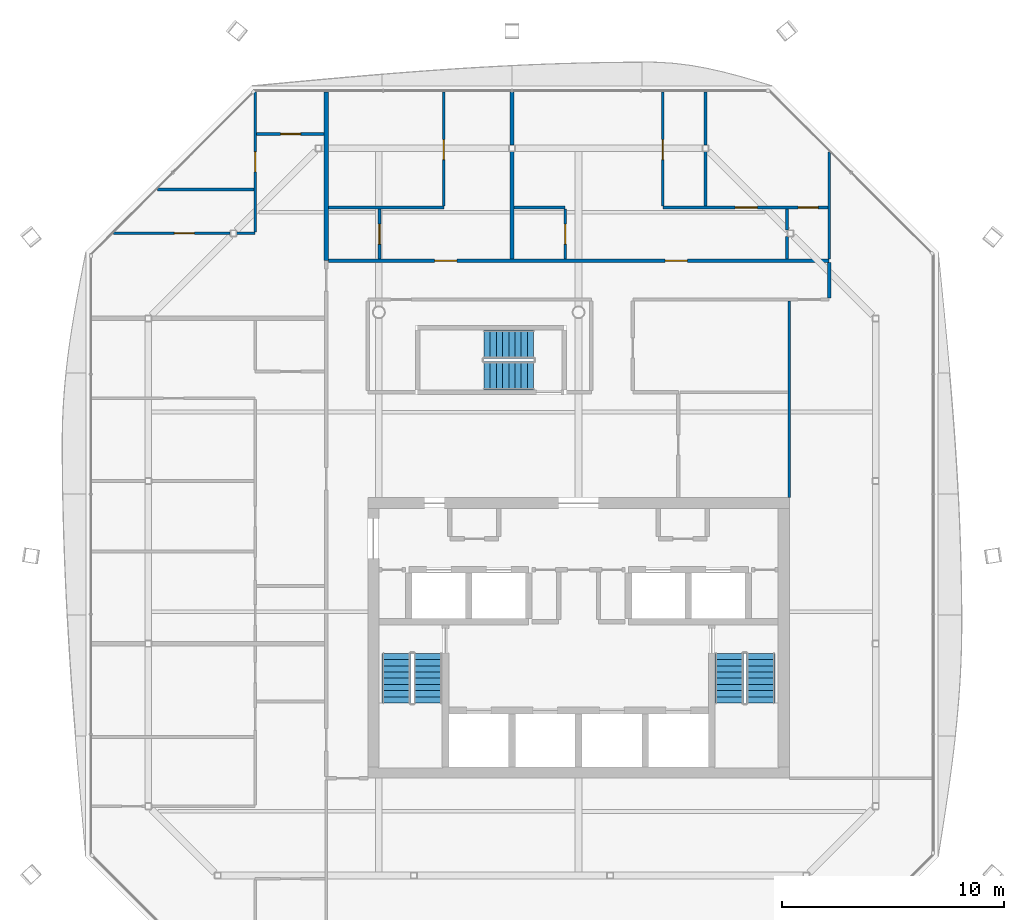
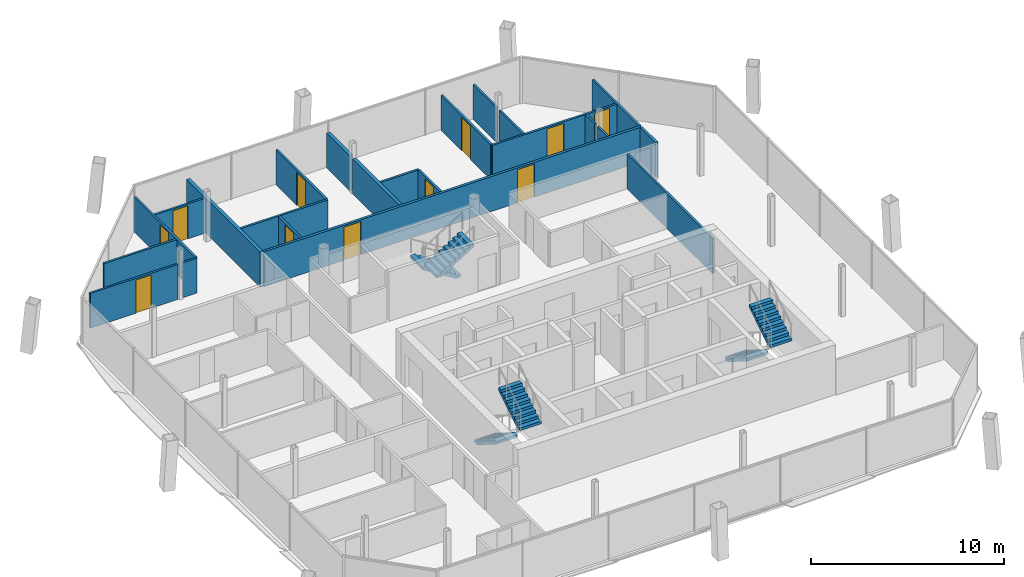
# One storey, part 14 of 18: 23 walls, 11 doors, 6 stair flights, 11 openings, 3 elements without a shape of their own.
"""IFC4 building model written with IfcOpenShell, lengths in metres."""

from ifc_helpers import new_model, si_unit, direction, frame, frame_2d, origin, place, context, subcontext, project, spatial, polyline, rectangle, outline, extrude, material, layer, layer_set, type_object, element, fill, aggregate, save


model = new_model("IFC4")

# Units and contexts
model_context = context("Model", 3, precision=1e-05, world=origin(), true_north=direction((0.0, 1.0)))
body_context = subcontext(model_context, "Body", "Model", "MODEL_VIEW")
ifc_project = project(units=[si_unit("LENGTHUNIT", "METRE"), si_unit("AREAUNIT", "SQUARE_METRE"), si_unit("VOLUMEUNIT", "CUBIC_METRE"), si_unit("PLANEANGLEUNIT", "RADIAN"), si_unit("MASSUNIT", "GRAM", prefix="KILO")], contexts=[model_context])

# Site, building, storey
site_placement = place(None, origin())
site = spatial("IfcSite", under=ifc_project, at=site_placement, CompositionType="ELEMENT")
building_placement = place(site_placement, origin())
building = spatial("IfcBuilding", under=site, at=building_placement, Name="Tskaro Facet Tower", CompositionType="ELEMENT")
storey_placement = place(building_placement, frame((0.0, 0.0, 223.5)))
storey = spatial("IfcBuildingStorey", under=building, at=storey_placement, Name="L57", CompositionType="ELEMENT", Elevation=223.5)

# Wall, opening, door
ifc_material_1 = material(Name="Gypsum board on steel studs", Category="steel")
ifc_layer_1 = layer(ifc_material_1, 0.125, Name="Gypsum board on steel studs")
ifc_layer_set_1 = layer_set([ifc_layer_1], Name="Gypsum board on steel studs")
wall_type_1 = type_object("IfcWallType", Name="PART", PredefinedType="PARTITIONING", material=ifc_layer_set_1)
wall_1_placement = place(storey_placement, frame((-20.964111328125, 12.56005859375, 0.0), z_axis=(0.0, 0.0, 1.0), x_axis=(1.0, 0.0, 0.0)))
wall_1 = element("IfcWall", 1, at=wall_1_placement, inside=storey, type_object=wall_type_1, Name="Partition W039", PredefinedType="PARTITIONING", context=body_context, shape_type="SweptSolid", body=[
    extrude(rectangle(XDim=5.256103515625, YDim=0.125, at=frame_2d((2.6279296875, 0.0))), origin(), (0.0, 0.0, 1.0), 2.2099609375),
])
opening_1_placement = place(wall_1_placement, frame((2.744384765625, 0.0, 0.0)))
opening_1 = element("IfcOpeningElement", 2, at=opening_1_placement, cuts=wall_1, Name="Opening T16-D31", PredefinedType="OPENING", context=body_context, shape_type="SweptSolid", body=[
    extrude(rectangle(XDim=0.89990234375, YDim=2.10009765625, at=frame_2d((0.449951171875, 1.050048828125))), frame((0.0, 0.072509765625, 0.0), z_axis=(0.0, -1.0, 0.0), x_axis=(1.0, 0.0, 0.0)), (0.0, 0.0, 1.0), 0.14501953125),
])
ifc_material_2 = material(Name="Timber", Category="wood")
door_type_1 = type_object("IfcDoorType", Name="D-ROOM", OperationType="NOTDEFINED", PredefinedType="DOOR", material=ifc_material_2)
door_1_placement = place(opening_1_placement, origin())
door_1 = element("IfcDoor", 3, at=door_1_placement, inside=storey, type_object=door_type_1, Name="Door T16-D31", OperationType="SINGLE_SWING_LEFT", OverallHeight=2.10009765625, OverallWidth=0.89990234375, PredefinedType="DOOR", context=body_context, shape_type="SweptSolid", body=[
    extrude(rectangle(XDim=0.89990234375, YDim=2.10009765625, at=frame_2d((0.449951171875, 1.050048828125))), frame((0.0, 0.02490234375, 0.0), z_axis=(0.0, -1.0, 0.0), x_axis=(1.0, 0.0, 0.0)), (0.0, 0.0, 1.0), 0.050048828125),
])
fill(opening_1, door_1)

# Walls
wall_2_placement = place(storey_placement, frame((-15.407958984375, 12.56005859375, 0.0), z_axis=(0.0, 0.0, 1.0), x_axis=(1.0, 0.0, 0.0)))
element("IfcWall", 4, at=wall_2_placement, inside=storey, type_object=wall_type_1, Name="Partition W040", PredefinedType="PARTITIONING", context=body_context, shape_type="SweptSolid", body=[
    extrude(rectangle(XDim=0.8330078125, YDim=0.125, at=frame_2d((0.41650390625, 0.0))), origin(), (0.0, 0.0, 1.0), 2.2099609375),
])
wall_3_placement = place(storey_placement, frame((-11.27490234375, 13.72509765625, 0.0), z_axis=(0.0, 0.0, 1.0), x_axis=(1.0, 0.0, 0.0)))
element("IfcWall", 5, at=wall_3_placement, inside=storey, type_object=wall_type_1, Name="Partition W041", PredefinedType="PARTITIONING", context=body_context, shape_type="SweptSolid", body=[
    extrude(rectangle(XDim=5.199951171875, YDim=0.125, at=frame_2d((2.60009765625, 0.0))), origin(), (0.0, 0.0, 1.0), 2.2099609375),
])
wall_4_placement = place(storey_placement, frame((-2.89990234375, 13.72509765625, 0.0), z_axis=(0.0, 0.0, 1.0), x_axis=(1.0, 0.0, 0.0)))
element("IfcWall", 6, at=wall_4_placement, inside=storey, type_object=wall_type_1, Name="Partition W042", PredefinedType="PARTITIONING", context=body_context, shape_type="SweptSolid", body=[
    extrude(rectangle(XDim=2.2998046875, YDim=0.125, at=frame_2d((1.14990234375, 0.0))), origin(), (0.0, 0.0, 1.0), 2.2099609375),
])

# Wall, openings, doors
wall_5_placement = place(storey_placement, frame((3.800048828125, 13.72509765625, 0.0), z_axis=(0.0, 0.0, 1.0), x_axis=(1.0, 0.0, 0.0)))
wall_5 = element("IfcWall", 7, at=wall_5_placement, inside=storey, type_object=wall_type_1, Name="Partition W043", PredefinedType="PARTITIONING", context=body_context, shape_type="SweptSolid", body=[
    extrude(rectangle(XDim=7.4375, YDim=0.125, at=frame_2d((3.71875, 0.0))), origin(), (0.0, 0.0, 1.0), 2.2099609375),
])
opening_2_placement = place(wall_5_placement, frame((3.262451171875, 0.0, 0.0)))
opening_2 = element("IfcOpeningElement", 8, at=opening_2_placement, cuts=wall_5, Name="Opening T16-D32", PredefinedType="OPENING", context=body_context, shape_type="SweptSolid", body=[
    extrude(rectangle(XDim=1.0, YDim=2.10009765625, at=frame_2d((0.5, 1.050048828125))), frame((0.0, 0.072509765625, 0.0), z_axis=(0.0, -1.0, 0.0), x_axis=(1.0, 0.0, 0.0)), (0.0, 0.0, 1.0), 0.14501953125),
])
opening_3_placement = place(wall_5_placement, frame((6.10009765625, 0.0, 0.0)))
opening_3 = element("IfcOpeningElement", 9, at=opening_3_placement, cuts=wall_5, Name="Opening T16-D33", PredefinedType="OPENING", context=body_context, shape_type="SweptSolid", body=[
    extrude(rectangle(XDim=0.89990234375, YDim=2.10009765625, at=frame_2d((0.449951171875, 1.050048828125))), frame((0.0, 0.072509765625, 0.0), z_axis=(0.0, -1.0, 0.0), x_axis=(1.0, 0.0, 0.0)), (0.0, 0.0, 1.0), 0.14501953125),
])
door_2_placement = place(opening_3_placement, origin())
door_2 = element("IfcDoor", 10, at=door_2_placement, inside=storey, type_object=door_type_1, Name="Door T16-D33", OperationType="SINGLE_SWING_RIGHT", OverallHeight=2.10009765625, OverallWidth=0.89990234375, PredefinedType="DOOR", context=body_context, shape_type="SweptSolid", body=[
    extrude(rectangle(XDim=0.89990234375, YDim=2.10009765625, at=frame_2d((0.449951171875, 1.050048828125))), frame((0.0, 0.02490234375, 0.0), z_axis=(0.0, -1.0, 0.0), x_axis=(1.0, 0.0, 0.0)), (0.0, 0.0, 1.0), 0.050048828125),
])
fill(opening_3, door_2)
door_type_2 = type_object("IfcDoorType", Name="D-ROOM-WIDE", OperationType="NOTDEFINED", PredefinedType="DOOR", material=ifc_material_2)
door_3_placement = place(opening_2_placement, origin())
door_3 = element("IfcDoor", 11, at=door_3_placement, inside=storey, type_object=door_type_2, Name="Door T16-D32", OperationType="SINGLE_SWING_LEFT", OverallHeight=2.10009765625, OverallWidth=1.0, PredefinedType="DOOR", context=body_context, shape_type="SweptSolid", body=[
    extrude(rectangle(XDim=1.0, YDim=2.10009765625, at=frame_2d((0.5, 1.050048828125))), frame((0.0, 0.02490234375, 0.0), z_axis=(0.0, -1.0, 0.0), x_axis=(1.0, 0.0, 0.0)), (0.0, 0.0, 1.0), 0.050048828125),
])
fill(opening_2, door_3)

# Wall
wall_6_placement = place(storey_placement, frame((-18.989013671875, 14.534912109375, 0.0), z_axis=(0.0, 0.0, 1.0), x_axis=(1.0, 0.0, 0.0)))
element("IfcWall", 12, at=wall_6_placement, inside=storey, type_object=wall_type_1, Name="Partition W044", PredefinedType="PARTITIONING", context=body_context, shape_type="SweptSolid", body=[
    extrude(rectangle(XDim=4.3515625, YDim=0.125, at=frame_2d((2.17578125, 0.0))), origin(), (0.0, 0.0, 1.0), 2.2099609375),
])

# Wall, opening, door
wall_7_placement = place(storey_placement, frame((-14.512451171875, 17.034912109375, 0.0), z_axis=(0.0, 0.0, 1.0), x_axis=(1.0, 0.0, 0.0)))
wall_7 = element("IfcWall", 13, at=wall_7_placement, inside=storey, type_object=wall_type_1, Name="Partition W045", PredefinedType="PARTITIONING", context=body_context, shape_type="SweptSolid", body=[
    extrude(rectangle(XDim=3.037353515625, YDim=0.125, at=frame_2d((1.5185546875, 0.0))), origin(), (0.0, 0.0, 1.0), 2.2099609375),
])
opening_4_placement = place(wall_7_placement, frame((1.08740234375, 0.0, 0.0)))
opening_4 = element("IfcOpeningElement", 14, at=opening_4_placement, cuts=wall_7, Name="Opening T16-D37", PredefinedType="OPENING", context=body_context, shape_type="SweptSolid", body=[
    extrude(rectangle(XDim=0.89990234375, YDim=2.10009765625, at=frame_2d((0.449951171875, 1.050048828125))), frame((0.0, 0.072509765625, 0.0), z_axis=(0.0, -1.0, 0.0), x_axis=(1.0, 0.0, 0.0)), (0.0, 0.0, 1.0), 0.14501953125),
])
door_4_placement = place(opening_4_placement, origin())
door_4 = element("IfcDoor", 15, at=door_4_placement, inside=storey, type_object=door_type_1, Name="Door T16-D37", OperationType="SINGLE_SWING_LEFT", OverallHeight=2.10009765625, OverallWidth=0.89990234375, PredefinedType="DOOR", context=body_context, shape_type="SweptSolid", body=[
    extrude(rectangle(XDim=0.89990234375, YDim=2.10009765625, at=frame_2d((0.449951171875, 1.050048828125))), frame((0.0, 0.02490234375, 0.0), z_axis=(0.0, -1.0, 0.0), x_axis=(1.0, 0.0, 0.0)), (0.0, 0.0, 1.0), 0.050048828125),
])
fill(opening_4, door_4)

wall_8_placement = place(storey_placement, frame((-14.574951171875, 12.62255859375, 0.0), z_axis=(0.0, 0.0, 1.0), x_axis=(0.0, 1.0, 0.0)))
wall_8 = element("IfcWall", 16, at=wall_8_placement, inside=storey, type_object=wall_type_1, Name="Partition W049", PredefinedType="PARTITIONING", context=body_context, shape_type="SweptSolid", body=[
    extrude(rectangle(XDim=6.3125, YDim=0.125, at=frame_2d((3.15625, 0.0))), origin(), (0.0, 0.0, 1.0), 2.2099609375),
])
opening_5_placement = place(wall_8_placement, frame((2.71240234375, 0.0, 0.0)))
opening_5 = element("IfcOpeningElement", 17, at=opening_5_placement, cuts=wall_8, Name="Opening T16-D34", PredefinedType="OPENING", context=body_context, shape_type="SweptSolid", body=[
    extrude(rectangle(XDim=0.89990234375, YDim=2.10009765625, at=frame_2d((0.449951171875, 1.050048828125))), frame((0.0, 0.072509765625, 0.0), z_axis=(0.0, -1.0, 0.0), x_axis=(1.0, 0.0, 0.0)), (0.0, 0.0, 1.0), 0.14501953125),
])
door_5_placement = place(opening_5_placement, origin())
door_5 = element("IfcDoor", 18, at=door_5_placement, inside=storey, type_object=door_type_1, Name="Door T16-D34", OperationType="SINGLE_SWING_LEFT", OverallHeight=2.10009765625, OverallWidth=0.89990234375, PredefinedType="DOOR", context=body_context, shape_type="SweptSolid", body=[
    extrude(rectangle(XDim=0.89990234375, YDim=2.10009765625, at=frame_2d((0.449951171875, 1.050048828125))), frame((0.0, 0.02490234375, 0.0), z_axis=(0.0, -1.0, 0.0), x_axis=(1.0, 0.0, 0.0)), (0.0, 0.0, 1.0), 0.050048828125),
])
fill(opening_5, door_5)

wall_9_placement = place(storey_placement, frame((-8.97509765625, 11.39990234375, 0.0), z_axis=(0.0, 0.0, 1.0), x_axis=(0.0, 1.0, 0.0)))
wall_9 = element("IfcWall", 19, at=wall_9_placement, inside=storey, type_object=wall_type_1, Name="Partition W054", PredefinedType="PARTITIONING", context=body_context, shape_type="SweptSolid", body=[
    extrude(rectangle(XDim=2.2626953125, YDim=0.125, at=frame_2d((1.13134765625, 0.0))), origin(), (0.0, 0.0, 1.0), 2.2099609375),
])
opening_6_placement = place(wall_9_placement, frame((0.675048828125, 0.0, 0.0)))
opening_6 = element("IfcOpeningElement", 20, at=opening_6_placement, cuts=wall_9, Name="Opening T16-D29", PredefinedType="OPENING", context=body_context, shape_type="SweptSolid", body=[
    extrude(rectangle(XDim=0.89990234375, YDim=2.10009765625, at=frame_2d((0.449951171875, 1.050048828125))), frame((0.0, 0.072509765625, 0.0), z_axis=(0.0, -1.0, 0.0), x_axis=(1.0, 0.0, 0.0)), (0.0, 0.0, 1.0), 0.14501953125),
])
door_6_placement = place(opening_6_placement, origin())
door_6 = element("IfcDoor", 21, at=door_6_placement, inside=storey, type_object=door_type_1, Name="Door T16-D29", OperationType="SINGLE_SWING_LEFT", OverallHeight=2.10009765625, OverallWidth=0.89990234375, PredefinedType="DOOR", context=body_context, shape_type="SweptSolid", body=[
    extrude(rectangle(XDim=0.89990234375, YDim=2.10009765625, at=frame_2d((0.449951171875, 1.050048828125))), frame((0.0, 0.02490234375, 0.0), z_axis=(0.0, -1.0, 0.0), x_axis=(1.0, 0.0, 0.0)), (0.0, 0.0, 1.0), 0.050048828125),
])
fill(opening_6, door_6)

wall_10_placement = place(storey_placement, frame((-6.074951171875, 13.78759765625, 0.0), z_axis=(0.0, 0.0, 1.0), x_axis=(0.0, 1.0, 0.0)))
wall_10 = element("IfcWall", 22, at=wall_10_placement, inside=storey, type_object=wall_type_1, Name="Partition W057", PredefinedType="PARTITIONING", context=body_context, shape_type="SweptSolid", body=[
    extrude(rectangle(XDim=5.1474609375, YDim=0.125, at=frame_2d((2.57373046875, 0.0))), origin(), (0.0, 0.0, 1.0), 2.2099609375),
])
opening_7_placement = place(wall_10_placement, frame((2.092529296875, 0.0, 0.0)))
opening_7 = element("IfcOpeningElement", 23, at=opening_7_placement, cuts=wall_10, Name="Opening T16-D35", PredefinedType="OPENING", context=body_context, shape_type="SweptSolid", body=[
    extrude(rectangle(XDim=0.89990234375, YDim=2.10009765625, at=frame_2d((0.449951171875, 1.050048828125))), frame((0.0, 0.072509765625, 0.0), z_axis=(0.0, -1.0, 0.0), x_axis=(1.0, 0.0, 0.0)), (0.0, 0.0, 1.0), 0.14501953125),
])
door_7_placement = place(opening_7_placement, origin())
door_7 = element("IfcDoor", 24, at=door_7_placement, inside=storey, type_object=door_type_1, Name="Door T16-D35", OperationType="SINGLE_SWING_LEFT", OverallHeight=2.10009765625, OverallWidth=0.89990234375, PredefinedType="DOOR", context=body_context, shape_type="SweptSolid", body=[
    extrude(rectangle(XDim=0.89990234375, YDim=2.10009765625, at=frame_2d((0.449951171875, 1.050048828125))), frame((0.0, 0.02490234375, 0.0), z_axis=(0.0, -1.0, 0.0), x_axis=(1.0, 0.0, 0.0)), (0.0, 0.0, 1.0), 0.050048828125),
])
fill(opening_7, door_7)

wall_11_placement = place(storey_placement, frame((-0.60009765625, 11.39990234375, 0.0), z_axis=(0.0, 0.0, 1.0), x_axis=(0.0, 1.0, 0.0)))
wall_11 = element("IfcWall", 25, at=wall_11_placement, inside=storey, type_object=wall_type_1, Name="Partition W068", PredefinedType="PARTITIONING", context=body_context, shape_type="SweptSolid", body=[
    extrude(rectangle(XDim=2.2626953125, YDim=0.125, at=frame_2d((1.13134765625, 0.0))), origin(), (0.0, 0.0, 1.0), 2.2099609375),
])
opening_8_placement = place(wall_11_placement, frame((0.675048828125, 0.0, 0.0)))
opening_8 = element("IfcOpeningElement", 26, at=opening_8_placement, cuts=wall_11, Name="Opening T16-D30", PredefinedType="OPENING", context=body_context, shape_type="SweptSolid", body=[
    extrude(rectangle(XDim=0.89990234375, YDim=2.10009765625, at=frame_2d((0.449951171875, 1.050048828125))), frame((0.0, 0.072509765625, 0.0), z_axis=(0.0, -1.0, 0.0), x_axis=(1.0, 0.0, 0.0)), (0.0, 0.0, 1.0), 0.14501953125),
])
door_8_placement = place(opening_8_placement, origin())
door_8 = element("IfcDoor", 27, at=door_8_placement, inside=storey, type_object=door_type_1, Name="Door T16-D30", OperationType="SINGLE_SWING_LEFT", OverallHeight=2.10009765625, OverallWidth=0.89990234375, PredefinedType="DOOR", context=body_context, shape_type="SweptSolid", body=[
    extrude(rectangle(XDim=0.89990234375, YDim=2.10009765625, at=frame_2d((0.449951171875, 1.050048828125))), frame((0.0, 0.02490234375, 0.0), z_axis=(0.0, -1.0, 0.0), x_axis=(1.0, 0.0, 0.0)), (0.0, 0.0, 1.0), 0.050048828125),
])
fill(opening_8, door_8)

wall_12_placement = place(storey_placement, frame((3.800048828125, 18.93505859375, 0.0), z_axis=(0.0, 0.0, 1.0), x_axis=(0.0, -1.0, 0.0)))
wall_12 = element("IfcWall", 28, at=wall_12_placement, inside=storey, type_object=wall_type_1, Name="Partition W076", PredefinedType="PARTITIONING", context=body_context, shape_type="SweptSolid", body=[
    extrude(rectangle(XDim=5.1474609375, YDim=0.125, at=frame_2d((2.57373046875, 0.0))), origin(), (0.0, 0.0, 1.0), 2.2099609375),
])
opening_9_placement = place(wall_12_placement, frame((2.155029296875, 0.0, 0.0)))
opening_9 = element("IfcOpeningElement", 29, at=opening_9_placement, cuts=wall_12, Name="Opening T16-D36", PredefinedType="OPENING", context=body_context, shape_type="SweptSolid", body=[
    extrude(rectangle(XDim=0.89990234375, YDim=2.10009765625, at=frame_2d((0.449951171875, 1.050048828125))), frame((0.0, 0.072509765625, 0.0), z_axis=(0.0, -1.0, 0.0), x_axis=(1.0, 0.0, 0.0)), (0.0, 0.0, 1.0), 0.14501953125),
])
door_9_placement = place(opening_9_placement, origin())
door_9 = element("IfcDoor", 30, at=door_9_placement, inside=storey, type_object=door_type_1, Name="Door T16-D36", OperationType="SINGLE_SWING_RIGHT", OverallHeight=2.10009765625, OverallWidth=0.89990234375, PredefinedType="DOOR", context=body_context, shape_type="SweptSolid", body=[
    extrude(rectangle(XDim=0.89990234375, YDim=2.10009765625, at=frame_2d((0.449951171875, 1.050048828125))), frame((0.0, 0.02490234375, 0.0), z_axis=(0.0, -1.0, 0.0), x_axis=(1.0, 0.0, 0.0)), (0.0, 0.0, 1.0), 0.050048828125),
])
fill(opening_9, door_9)

# Walls
wall_13_placement = place(storey_placement, frame((5.72509765625, 13.78759765625, 0.0), z_axis=(0.0, 0.0, 1.0), x_axis=(0.0, 1.0, 0.0)))
element("IfcWall", 31, at=wall_13_placement, inside=storey, type_object=wall_type_1, Name="Partition W079", PredefinedType="PARTITIONING", context=body_context, shape_type="SweptSolid", body=[
    extrude(rectangle(XDim=2.453369140625, YDim=0.125, at=frame_2d((1.2265625, 0.0))), origin(), (0.0, 0.0, 1.0), 2.2099609375),
])
wall_14_placement = place(storey_placement, frame((5.72509765625, 16.541015625, 0.0), z_axis=(0.0, 0.0, 1.0), x_axis=(0.0, 1.0, 0.0)))
element("IfcWall", 32, at=wall_14_placement, inside=storey, type_object=wall_type_1, Name="Partition W080", PredefinedType="PARTITIONING", context=body_context, shape_type="SweptSolid", body=[
    extrude(rectangle(XDim=2.39404296875, YDim=0.125, at=frame_2d((1.197021484375, 0.0))), origin(), (0.0, 0.0, 1.0), 2.2099609375),
])
wall_15_placement = place(storey_placement, frame((9.39990234375, 11.39990234375, 0.0), z_axis=(0.0, 0.0, 1.0), x_axis=(0.0, 1.0, 0.0)))
element("IfcWall", 33, at=wall_15_placement, inside=storey, type_object=wall_type_1, Name="Partition W084", PredefinedType="PARTITIONING", context=body_context, shape_type="SweptSolid", body=[
    extrude(rectangle(XDim=1.008056640625, YDim=0.125, at=frame_2d((0.50390625, 0.0))), origin(), (0.0, 0.0, 1.0), 2.2099609375),
])
wall_16_placement = place(storey_placement, frame((9.39990234375, 12.7080078125, 0.0), z_axis=(0.0, 0.0, 1.0), x_axis=(0.0, 1.0, 0.0)))
element("IfcWall", 34, at=wall_16_placement, inside=storey, type_object=wall_type_1, Name="Partition W085", PredefinedType="PARTITIONING", context=body_context, shape_type="SweptSolid", body=[
    extrude(rectangle(XDim=0.95458984375, YDim=0.125, at=frame_2d((0.477294921875, 0.0))), origin(), (0.0, 0.0, 1.0), 2.2099609375),
])
wall_17_placement = place(storey_placement, frame((9.5, 0.64990234375, 0.0), z_axis=(0.0, 0.0, 1.0), x_axis=(0.0, 1.0, 0.0)))
element("IfcWall", 35, at=wall_17_placement, inside=storey, type_object=wall_type_1, Name="Partition W086", PredefinedType="PARTITIONING", context=body_context, shape_type="SweptSolid", body=[
    extrude(rectangle(XDim=8.85009765625, YDim=0.125, at=frame_2d((4.425048828125, 0.0))), origin(), (0.0, 0.0, 1.0), 2.2099609375),
])
wall_18_placement = place(storey_placement, frame((11.300048828125, 11.39990234375, 0.0), z_axis=(0.0, 0.0, 1.0), x_axis=(0.0, 1.0, 0.0)))
element("IfcWall", 36, at=wall_18_placement, inside=storey, type_object=wall_type_1, Name="Partition W088", PredefinedType="PARTITIONING", context=body_context, shape_type="SweptSolid", body=[
    extrude(rectangle(XDim=4.82421875, YDim=0.125, at=frame_2d((2.412109375, 0.0))), origin(), (0.0, 0.0, 1.0), 2.2099609375),
])

# Wall, openings, doors
ifc_layer_2 = layer(ifc_material_1, 0.14990234375, Name="Gypsum board on steel studs")
ifc_layer_set_2 = layer_set([ifc_layer_2], Name="Gypsum board on steel studs")
wall_type_2 = type_object("IfcWallType", Name="PART-CORR", PredefinedType="PARTITIONING", material=ifc_layer_set_2)
wall_19_placement = place(storey_placement, frame((-11.27490234375, 11.324951171875, 0.0), z_axis=(0.0, 0.0, 1.0), x_axis=(1.0, 0.0, 0.0)))
wall_19 = element("IfcWall", 37, at=wall_19_placement, inside=storey, type_object=wall_type_2, Name="Corridor wall W038", PredefinedType="PARTITIONING", context=body_context, shape_type="SweptSolid", body=[
    extrude(rectangle(XDim=22.574951171875, YDim=0.14990234375, at=frame_2d((11.28759765625, 0.0))), origin(), (0.0, 0.0, 1.0), 2.2099609375),
])
opening_10_placement = place(wall_19_placement, frame((4.78759765625, 0.0, 0.0)))
opening_10 = element("IfcOpeningElement", 38, at=opening_10_placement, cuts=wall_19, Name="Opening T16-D27", PredefinedType="OPENING", context=body_context, shape_type="SweptSolid", body=[
    extrude(rectangle(XDim=1.0, YDim=2.10009765625, at=frame_2d((0.5, 1.050048828125))), frame((0.0, 0.0849609375, 0.0), z_axis=(0.0, -1.0, 0.0), x_axis=(1.0, 0.0, 0.0)), (0.0, 0.0, 1.0), 0.169921875),
])
opening_11_placement = place(wall_19_placement, frame((15.175048828125, 0.0, 0.0)))
opening_11 = element("IfcOpeningElement", 39, at=opening_11_placement, cuts=wall_19, Name="Opening T16-D28", PredefinedType="OPENING", context=body_context, shape_type="SweptSolid", body=[
    extrude(rectangle(XDim=1.0, YDim=2.10009765625, at=frame_2d((0.5, 1.050048828125))), frame((0.0, 0.0849609375, 0.0), z_axis=(0.0, -1.0, 0.0), x_axis=(1.0, 0.0, 0.0)), (0.0, 0.0, 1.0), 0.169921875),
])
door_type_3 = type_object("IfcDoorType", Name="D-FLAT-ENTRY", OperationType="NOTDEFINED", PredefinedType="DOOR", material=ifc_material_2)
door_10_placement = place(opening_10_placement, origin())
door_10 = element("IfcDoor", 40, at=door_10_placement, inside=storey, type_object=door_type_3, Name="Door T16-D27", OperationType="SINGLE_SWING_LEFT", OverallHeight=2.10009765625, OverallWidth=1.0, PredefinedType="DOOR", context=body_context, shape_type="SweptSolid", body=[
    extrude(rectangle(XDim=1.0, YDim=2.10009765625, at=frame_2d((0.5, 1.050048828125))), frame((0.0, 0.02490234375, 0.0), z_axis=(0.0, -1.0, 0.0), x_axis=(1.0, 0.0, 0.0)), (0.0, 0.0, 1.0), 0.050048828125),
])
fill(opening_10, door_10)
door_11_placement = place(opening_11_placement, origin())
door_11 = element("IfcDoor", 41, at=door_11_placement, inside=storey, type_object=door_type_3, Name="Door T16-D28", OperationType="SINGLE_SWING_LEFT", OverallHeight=2.10009765625, OverallWidth=1.0, PredefinedType="DOOR", context=body_context, shape_type="SweptSolid", body=[
    extrude(rectangle(XDim=1.0, YDim=2.10009765625, at=frame_2d((0.5, 1.050048828125))), frame((0.0, 0.02490234375, 0.0), z_axis=(0.0, -1.0, 0.0), x_axis=(1.0, 0.0, 0.0)), (0.0, 0.0, 1.0), 0.050048828125),
])
fill(opening_11, door_11)

# Walls
wall_20_placement = place(storey_placement, frame((11.300048828125, 9.64990234375, 0.0), z_axis=(0.0, 0.0, 1.0), x_axis=(0.0, 1.0, 0.0)))
element("IfcWall", 42, at=wall_20_placement, inside=storey, type_object=wall_type_2, Name="Corridor wall W087", PredefinedType="PARTITIONING", context=body_context, shape_type="SweptSolid", body=[
    extrude(rectangle(XDim=1.60009765625, YDim=0.14990234375, at=frame_2d((0.800048828125, 0.0))), origin(), (0.0, 0.0, 1.0), 2.2099609375),
])
ifc_layer_3 = layer(ifc_material_1, 0.199951171875, Name="Gypsum board on steel studs")
ifc_layer_set_3 = layer_set([ifc_layer_3], Name="Gypsum board on steel studs")
wall_type_3 = type_object("IfcWallType", Name="PART-DEMISING", PredefinedType="PARTITIONING", material=ifc_layer_set_3)
wall_21_placement = place(storey_placement, frame((-11.375, 11.324951171875, 0.0), z_axis=(0.0, 0.0, 1.0), x_axis=(0.0, 1.0, 0.0)))
element("IfcWall", 43, at=wall_21_placement, inside=storey, type_object=wall_type_3, Name="Guest room wall W052", PredefinedType="PARTITIONING", context=body_context, shape_type="SweptSolid", body=[
    extrude(rectangle(XDim=7.610107421875, YDim=0.199951171875, at=frame_2d((3.80517578125, 0.0))), origin(), (0.0, 0.0, 1.0), 2.2099609375),
])
wall_22_placement = place(storey_placement, frame((-3.0, 11.39990234375, 0.0), z_axis=(0.0, 0.0, 1.0), x_axis=(0.0, 1.0, 0.0)))
element("IfcWall", 44, at=wall_22_placement, inside=storey, type_object=wall_type_3, Name="Guest room wall W063", PredefinedType="PARTITIONING", context=body_context, shape_type="SweptSolid", body=[
    extrude(rectangle(XDim=4.841064453125, YDim=0.199951171875, at=frame_2d((2.42041015625, 0.0))), origin(), (0.0, 0.0, 1.0), 2.2099609375),
])
wall_23_placement = place(storey_placement, frame((-3.0, 16.541015625, 0.0), z_axis=(0.0, 0.0, 1.0), x_axis=(0.0, 1.0, 0.0)))
element("IfcWall", 45, at=wall_23_placement, inside=storey, type_object=wall_type_3, Name="Guest room wall W064", PredefinedType="PARTITIONING", context=body_context, shape_type="SweptSolid", body=[
    extrude(rectangle(XDim=2.39404296875, YDim=0.199951171875, at=frame_2d((1.197021484375, 0.0))), origin(), (0.0, 0.0, 1.0), 2.2099609375),
])

# Stair, stair flights
ifc_material_3 = material(Name="Concrete C40/50", Category="concrete")
stair_type = type_object("IfcStairType", Name="ST-TWR", PredefinedType="HALF_TURN_STAIR", material=ifc_material_3)
stair_1_placement = place(storey_placement, origin())
stair_1 = element("IfcStair", 46, at=stair_1_placement, inside=storey, type_object=stair_type, Name="L57 Exit stair 1", PredefinedType="HALF_TURN_STAIR")
stair_flight_type = type_object("IfcStairFlightType", Name="SFL-RC", PredefinedType="STRAIGHT", material=ifc_material_3)
stair_flight_1_placement = place(storey_placement, frame((-8.21240234375, -6.375, 0.0), z_axis=(0.0, 0.0, 1.0), x_axis=(0.0, -1.0, 0.0)))
stair_flight_1 = element("IfcStairFlight", 47, at=stair_flight_1_placement, type_object=stair_flight_type, Name="ST-1 flight 1", NumberOfRisers=9, NumberOfTreads=8, PredefinedType="STRAIGHT", RiserHeight=0.175, TreadLength=0.28, context=body_context, shape_type="SweptSolid", body=[
    extrude(outline(polyline([(0.0, 0.0), (0.0, 0.175048828125), (0.280029296875, 0.175048828125), (0.280029296875, 0.35009765625), (0.56005859375, 0.35009765625), (0.56005859375, 0.52490234375), (0.840087890625, 0.52490234375), (0.840087890625, 0.699951171875), (1.1201171875, 0.699951171875), (1.1201171875, 0.875), (1.39990234375, 0.875), (1.39990234375, 1.050048828125), (1.679931640625, 1.050048828125), (1.679931640625, 1.22509765625), (1.9599609375, 1.22509765625), (1.9599609375, 1.39990234375), (2.239990234375, 1.39990234375), (2.239990234375, 1.574951171875), (2.239990234375, 1.22314453125), (0.28271484375, 0.0), (0.0, 0.0)])), frame((0.0, 0.637451171875, 0.0), z_axis=(0.0, -1.0, 0.0), x_axis=(1.0, 0.0, 0.0)), (0.0, 0.0, 1.0), 1.27490234375),
])
stair_flight_2_placement = place(storey_placement, frame((-6.78759765625, -8.614990234375, 1.574951171875), z_axis=(0.0, 0.0, 1.0), x_axis=(0.0, 1.0, 0.0)))
stair_flight_2 = element("IfcStairFlight", 48, at=stair_flight_2_placement, type_object=stair_flight_type, Name="ST-1 flight 2", NumberOfRisers=9, NumberOfTreads=8, PredefinedType="STRAIGHT", RiserHeight=0.175, TreadLength=0.28, context=body_context, shape_type="SweptSolid", body=[
    extrude(outline(polyline([(0.0, 0.0), (0.0, 0.175048828125), (0.280029296875, 0.175048828125), (0.280029296875, 0.35009765625), (0.56005859375, 0.35009765625), (0.56005859375, 0.52490234375), (0.840087890625, 0.52490234375), (0.840087890625, 0.699951171875), (1.1201171875, 0.699951171875), (1.1201171875, 0.875), (1.39990234375, 0.875), (1.39990234375, 1.050048828125), (1.679931640625, 1.050048828125), (1.679931640625, 1.22509765625), (1.9599609375, 1.22509765625), (1.9599609375, 1.39990234375), (2.239990234375, 1.39990234375), (2.239990234375, 1.574951171875), (2.239990234375, 1.22314453125), (0.28271484375, 0.0), (0.0, 0.0)])), frame((0.0, 0.637451171875, 0.0), z_axis=(0.0, -1.0, 0.0), x_axis=(1.0, 0.0, 0.0)), (0.0, 0.0, 1.0), 1.27490234375),
])
aggregate(stair_1, [stair_flight_1, stair_flight_2])

stair_2_placement = place(storey_placement, origin())
stair_2 = element("IfcStair", 49, at=stair_2_placement, inside=storey, type_object=stair_type, Name="L57 Exit stair 2", PredefinedType="HALF_TURN_STAIR")
stair_flight_3_placement = place(storey_placement, frame((6.78759765625, -6.375, 0.0), z_axis=(0.0, 0.0, 1.0), x_axis=(0.0, -1.0, 0.0)))
stair_flight_3 = element("IfcStairFlight", 50, at=stair_flight_3_placement, type_object=stair_flight_type, Name="ST-2 flight 1", NumberOfRisers=9, NumberOfTreads=8, PredefinedType="STRAIGHT", RiserHeight=0.175, TreadLength=0.28, context=body_context, shape_type="SweptSolid", body=[
    extrude(outline(polyline([(0.0, 0.0), (0.0, 0.175048828125), (0.280029296875, 0.175048828125), (0.280029296875, 0.35009765625), (0.56005859375, 0.35009765625), (0.56005859375, 0.52490234375), (0.840087890625, 0.52490234375), (0.840087890625, 0.699951171875), (1.1201171875, 0.699951171875), (1.1201171875, 0.875), (1.39990234375, 0.875), (1.39990234375, 1.050048828125), (1.679931640625, 1.050048828125), (1.679931640625, 1.22509765625), (1.9599609375, 1.22509765625), (1.9599609375, 1.39990234375), (2.239990234375, 1.39990234375), (2.239990234375, 1.574951171875), (2.239990234375, 1.22314453125), (0.28271484375, 0.0), (0.0, 0.0)])), frame((0.0, 0.637451171875, 0.0), z_axis=(0.0, -1.0, 0.0), x_axis=(1.0, 0.0, 0.0)), (0.0, 0.0, 1.0), 1.27490234375),
])
stair_flight_4_placement = place(storey_placement, frame((8.21240234375, -8.614990234375, 1.574951171875), z_axis=(0.0, 0.0, 1.0), x_axis=(0.0, 1.0, 0.0)))
stair_flight_4 = element("IfcStairFlight", 51, at=stair_flight_4_placement, type_object=stair_flight_type, Name="ST-2 flight 2", NumberOfRisers=9, NumberOfTreads=8, PredefinedType="STRAIGHT", RiserHeight=0.175, TreadLength=0.28, context=body_context, shape_type="SweptSolid", body=[
    extrude(outline(polyline([(0.0, 0.0), (0.0, 0.175048828125), (0.280029296875, 0.175048828125), (0.280029296875, 0.35009765625), (0.56005859375, 0.35009765625), (0.56005859375, 0.52490234375), (0.840087890625, 0.52490234375), (0.840087890625, 0.699951171875), (1.1201171875, 0.699951171875), (1.1201171875, 0.875), (1.39990234375, 0.875), (1.39990234375, 1.050048828125), (1.679931640625, 1.050048828125), (1.679931640625, 1.22509765625), (1.9599609375, 1.22509765625), (1.9599609375, 1.39990234375), (2.239990234375, 1.39990234375), (2.239990234375, 1.574951171875), (2.239990234375, 1.22314453125), (0.28271484375, 0.0), (0.0, 0.0)])), frame((0.0, 0.637451171875, 0.0), z_axis=(0.0, -1.0, 0.0), x_axis=(1.0, 0.0, 0.0)), (0.0, 0.0, 1.0), 1.27490234375),
])
aggregate(stair_2, [stair_flight_3, stair_flight_4])

stair_3_placement = place(storey_placement, origin())
stair_3 = element("IfcStair", 52, at=stair_3_placement, inside=storey, type_object=stair_type, Name="L57 Exit stair 3", PredefinedType="HALF_TURN_STAIR")
stair_flight_5_placement = place(storey_placement, frame((-2.02490234375, 7.5625, 0.0), z_axis=(0.0, 0.0, 1.0), x_axis=(-1.0, 0.0, 0.0)))
stair_flight_5 = element("IfcStairFlight", 53, at=stair_flight_5_placement, type_object=stair_flight_type, Name="ST-3 flight 1", NumberOfRisers=9, NumberOfTreads=8, PredefinedType="STRAIGHT", RiserHeight=0.175, TreadLength=0.28, context=body_context, shape_type="SweptSolid", body=[
    extrude(outline(polyline([(0.0, 0.0), (0.0, 0.175048828125), (0.280029296875, 0.175048828125), (0.280029296875, 0.35009765625), (0.56005859375, 0.35009765625), (0.56005859375, 0.52490234375), (0.840087890625, 0.52490234375), (0.840087890625, 0.699951171875), (1.1201171875, 0.699951171875), (1.1201171875, 0.875), (1.39990234375, 0.875), (1.39990234375, 1.050048828125), (1.679931640625, 1.050048828125), (1.679931640625, 1.22509765625), (1.9599609375, 1.22509765625), (1.9599609375, 1.39990234375), (2.239990234375, 1.39990234375), (2.239990234375, 1.574951171875), (2.239990234375, 1.22314453125), (0.28271484375, 0.0), (0.0, 0.0)])), frame((0.0, 0.637451171875, 0.0), z_axis=(0.0, -1.0, 0.0), x_axis=(1.0, 0.0, 0.0)), (0.0, 0.0, 1.0), 1.27490234375),
])
stair_flight_6_placement = place(storey_placement, frame((-4.264892578125, 6.137451171875, 1.574951171875), z_axis=(0.0, 0.0, 1.0), x_axis=(1.0, 0.0, 0.0)))
stair_flight_6 = element("IfcStairFlight", 54, at=stair_flight_6_placement, type_object=stair_flight_type, Name="ST-3 flight 2", NumberOfRisers=9, NumberOfTreads=8, PredefinedType="STRAIGHT", RiserHeight=0.175, TreadLength=0.28, context=body_context, shape_type="SweptSolid", body=[
    extrude(outline(polyline([(0.0, 0.0), (0.0, 0.175048828125), (0.280029296875, 0.175048828125), (0.280029296875, 0.35009765625), (0.56005859375, 0.35009765625), (0.56005859375, 0.52490234375), (0.840087890625, 0.52490234375), (0.840087890625, 0.699951171875), (1.1201171875, 0.699951171875), (1.1201171875, 0.875), (1.39990234375, 0.875), (1.39990234375, 1.050048828125), (1.679931640625, 1.050048828125), (1.679931640625, 1.22509765625), (1.9599609375, 1.22509765625), (1.9599609375, 1.39990234375), (2.239990234375, 1.39990234375), (2.239990234375, 1.574951171875), (2.239990234375, 1.22314453125), (0.28271484375, 0.0), (0.0, 0.0)])), frame((0.0, 0.637451171875, 0.0), z_axis=(0.0, -1.0, 0.0), x_axis=(1.0, 0.0, 0.0)), (0.0, 0.0, 1.0), 1.27490234375),
])
aggregate(stair_3, [stair_flight_5, stair_flight_6])

save(model, "model.ifc")
